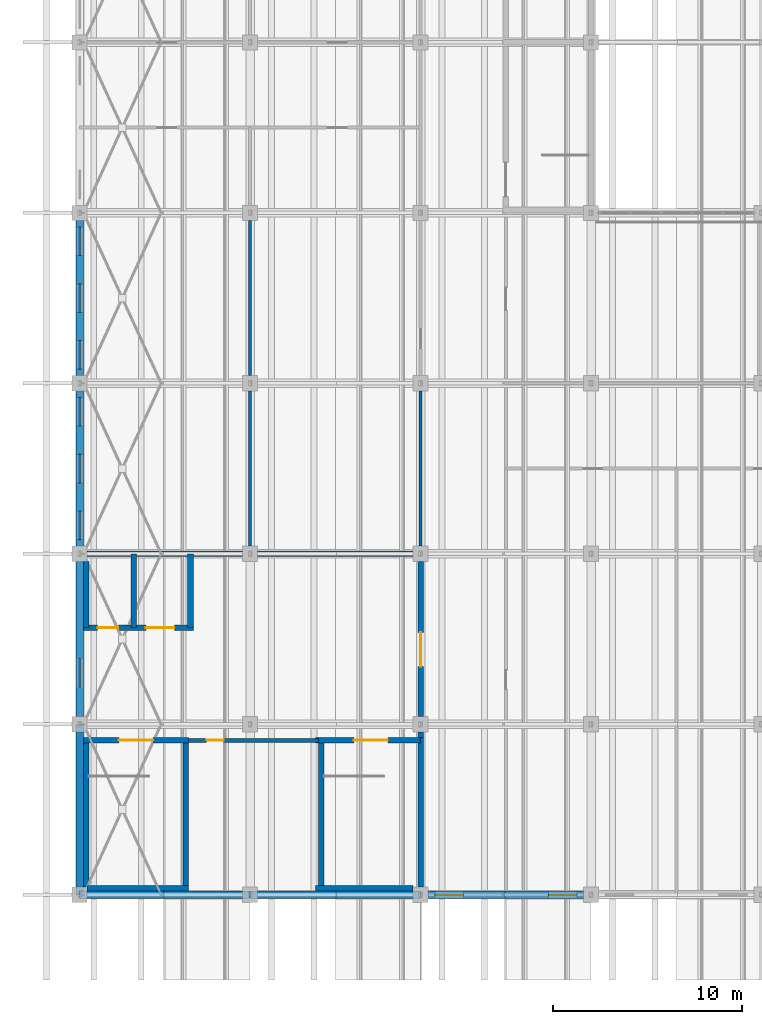
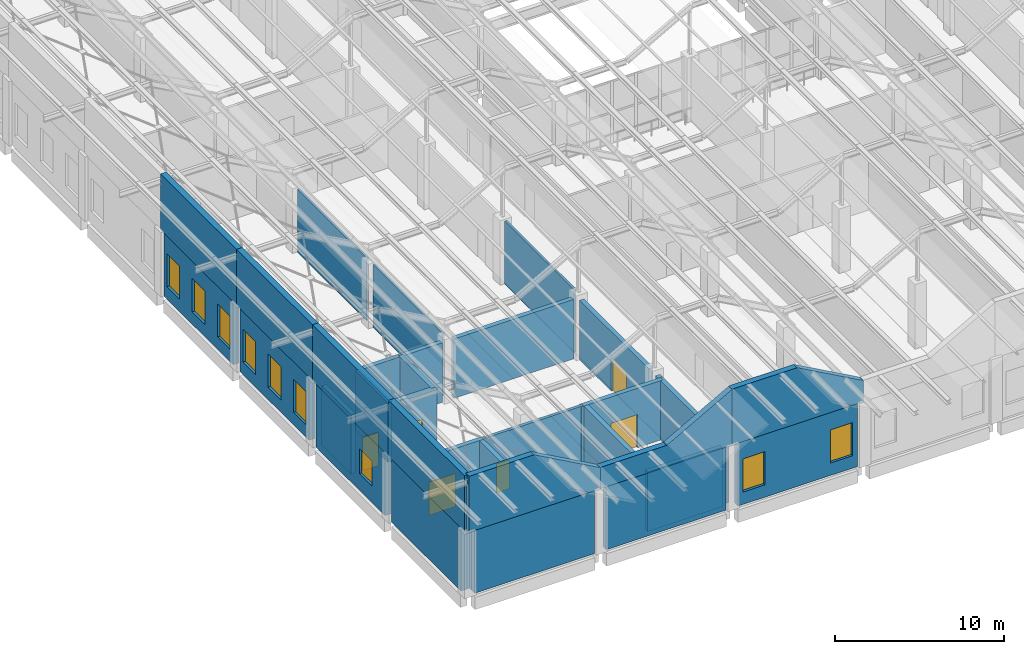
# One storey, part 263 of 437: 34 walls, 9 windows, 6 doors, 15 openings.
"""IFC4 building model written with IfcOpenShell, lengths in metres."""

from ifc_helpers import new_model, si_unit, direction, frame, frame_2d, origin, place, context, subcontext, project, spatial, polyline, rectangle, outline, extrude, material, layer, layer_set, type_object, element, fill, save


model = new_model("IFC4")

# Units and contexts
model_context = context("Model", 3, precision=1e-05, world=origin(), true_north=direction((0.0, 1.0)))
body_context = subcontext(model_context, "Body", "Model", "MODEL_VIEW")
ifc_project = project(units=[si_unit("LENGTHUNIT", "METRE"), si_unit("AREAUNIT", "SQUARE_METRE"), si_unit("VOLUMEUNIT", "CUBIC_METRE"), si_unit("PLANEANGLEUNIT", "RADIAN"), si_unit("MASSUNIT", "GRAM", prefix="KILO")], contexts=[model_context])

# Site, building, storey
site_placement = place(None, origin())
site = spatial("IfcSite", under=ifc_project, at=site_placement, CompositionType="ELEMENT")
building_placement = place(site_placement, origin())
building = spatial("IfcBuilding", under=site, at=building_placement, Name="Opaline Strait Convention Centre", CompositionType="ELEMENT")
storey_placement = place(building_placement, frame((0.0, 0.0, 11.5)))
storey = spatial("IfcBuildingStorey", under=building, at=storey_placement, Name="L02", CompositionType="ELEMENT", Elevation=11.5)

# Wall, opening, door
ifc_material_1 = material(Name="Gypsum board on metal studs with mineral wool")
ifc_layer_1 = layer(ifc_material_1, 0.199951171875)
ifc_layer_set_1 = layer_set([ifc_layer_1], Name="Gypsum board on metal studs with mineral wool")
wall_type_1 = type_object("IfcWallType", Name="Fire partition 200", PredefinedType="PARTITIONING", material=ifc_layer_set_1)
wall_1_placement = place(storey_placement, frame((14.75, 17.14990234375, 0.0), z_axis=(0.0, 0.0, 1.0), x_axis=(1.0, 0.0, 0.0)))
wall_1 = element("IfcWall", 1, at=wall_1_placement, inside=storey, type_object=wall_type_1, Name="SW core STORE-N wall", PredefinedType="PARTITIONING", context=body_context, shape_type="SweptSolid", body=[
    extrude(rectangle(XDim=6.85009765625, YDim=0.199951171875, at=frame_2d((3.425048828125, 0.0))), origin(), (0.0, 0.0, 1.0), 4.300048828125),
])
opening_1_placement = place(wall_1_placement, frame((0.949951171875, 0.0, 0.0)))
opening_1 = element("IfcOpeningElement", 2, at=opening_1_placement, cuts=wall_1, Name="Opening R2-003", PredefinedType="OPENING", context=body_context, shape_type="SweptSolid", body=[
    extrude(rectangle(XDim=0.89990234375, YDim=2.10009765625, at=frame_2d((0.449951171875, 1.050048828125))), frame((0.0, 0.10986328125, 0.0), z_axis=(0.0, -1.0, 0.0), x_axis=(1.0, 0.0, 0.0)), (0.0, 0.0, 1.0), 0.219970703125),
])
ifc_material_2 = material(Name="Galvanised steel door leaf", Category="steel")
door_type_1 = type_object("IfcDoorType", Name="Services store door 900x2100 FD60", OperationType="SINGLE_SWING_LEFT", PredefinedType="DOOR", material=ifc_material_2)
door_1_placement = place(opening_1_placement, origin())
door_1 = element("IfcDoor", 3, at=door_1_placement, inside=storey, type_object=door_type_1, Name="Services store door SW R2-003", ObjectType="RD8", OperationType="SINGLE_SWING_LEFT", OverallHeight=2.10009765625, OverallWidth=0.89990234375, PredefinedType="DOOR", context=body_context, shape_type="SweptSolid", body=[
    extrude(rectangle(XDim=0.89990234375, YDim=2.10009765625, at=frame_2d((0.449951171875, 1.050048828125))), frame((0.0, 0.02490234375, 0.0), z_axis=(0.0, -1.0, 0.0), x_axis=(1.0, 0.0, 0.0)), (0.0, 0.0, 1.0), 0.050048828125),
])
fill(opening_1, door_1)

# Walls
ifc_layer_2 = layer(ifc_material_1, 0.14990234375)
ifc_layer_set_2 = layer_set([ifc_layer_2], Name="Gypsum board on metal studs with mineral wool")
wall_type_2 = type_object("IfcWallType", Name="Partition 150", PredefinedType="PARTITIONING", material=ifc_layer_set_2)
for number, where, z_axis, x_axis, name in (
    (4, (18.0, 27.39990234375, 0.0), (0.0, 0.0, 1.0), (0.0, 1.0, 0.0), "L02 partition"),
    (5, (18.0, 36.39990234375, 0.0), (0.0, 0.0, 1.0), (0.0, 1.0, 0.0), "L02 partition"),
    (6, (27.0, 27.39990234375, 0.0), (0.0, 0.0, 1.0), (0.0, 1.0, 0.0), "L02 partition"),
):
    element("IfcWall", number, at=place(storey_placement, frame(where, z_axis=z_axis, x_axis=x_axis)), inside=storey, type_object=wall_type_2, Name=name, PredefinedType="PARTITIONING", context=body_context, shape_type="SweptSolid", body=[
        extrude(rectangle(XDim=8.2001953125, YDim=0.14990234375, at=frame_2d((4.10009765625, 0.0))), origin(), (0.0, 0.0, 1.0), 4.550048828125),
    ])
ifc_material_3 = material(Name="Concrete C40", Category="concrete")
ifc_layer_3 = layer(ifc_material_3, 0.300048828125)
ifc_layer_set_3 = layer_set([ifc_layer_3], Name="Concrete C40")
wall_type_3 = type_object("IfcWallType", Name="RC wall 300 C40", PredefinedType="SOLIDWALL", material=ifc_layer_set_3)
wall_2_placement = place(storey_placement, frame((9.39990234375, 9.35009765625, 0.0), z_axis=(0.0, 0.0, 1.0), x_axis=(1.0, 0.0, 0.0)))
element("IfcWall", 7, at=wall_2_placement, inside=storey, type_object=wall_type_3, Name="SW core STA-S wall", PredefinedType="SOLIDWALL", context=body_context, shape_type="SweptSolid", body=[
    extrude(rectangle(XDim=5.35009765625, YDim=0.300048828125, at=frame_2d((2.675048828125, 0.0))), origin(), (0.0, 0.0, 1.0), 4.300048828125),
])

# Wall, opening, door
wall_3_placement = place(storey_placement, frame((9.199951171875, 17.14990234375, 0.0), z_axis=(0.0, 0.0, 1.0), x_axis=(1.0, 0.0, 0.0)))
wall_3 = element("IfcWall", 8, at=wall_3_placement, inside=storey, type_object=wall_type_3, Name="SW core STA-N wall", PredefinedType="SOLIDWALL", context=body_context, shape_type="SweptSolid", body=[
    extrude(rectangle(XDim=5.550048828125, YDim=0.300048828125, at=frame_2d((2.77490234375, 0.0))), origin(), (0.0, 0.0, 1.0), 4.300048828125),
])
opening_2_placement = place(wall_3_placement, frame((1.875, 0.0, 0.0)))
opening_2 = element("IfcOpeningElement", 9, at=opening_2_placement, cuts=wall_3, Name="Opening R2-001", PredefinedType="OPENING", context=body_context, shape_type="SweptSolid", body=[
    extrude(rectangle(XDim=1.800048828125, YDim=2.39990234375, at=frame_2d((0.89990234375, 1.199951171875))), frame((0.0, 0.159912109375, 0.0), z_axis=(0.0, -1.0, 0.0), x_axis=(1.0, 0.0, 0.0)), (0.0, 0.0, 1.0), 0.320068359375),
])
ifc_material_4 = material(Name="Timber door leaves in steel frame", Category="steel")
door_type_2 = type_object("IfcDoorType", Name="Stair door 1800x2400 double FD60", OperationType="DOUBLE_DOOR_SINGLE_SWING", PredefinedType="DOOR", material=ifc_material_4)
door_2_placement = place(opening_2_placement, origin())
door_2 = element("IfcDoor", 10, at=door_2_placement, inside=storey, type_object=door_type_2, Name="Stair door SWA R2-001", ObjectType="RD7", OperationType="DOUBLE_DOOR_SINGLE_SWING", OverallHeight=2.39990234375, OverallWidth=1.800048828125, PredefinedType="DOOR", context=body_context, shape_type="SweptSolid", body=[
    extrude(rectangle(XDim=1.800048828125, YDim=2.39990234375, at=frame_2d((0.89990234375, 1.199951171875))), frame((0.0, 0.02490234375, 0.0), z_axis=(0.0, -1.0, 0.0), x_axis=(1.0, 0.0, 0.0)), (0.0, 0.0, 1.0), 0.050048828125),
])
fill(opening_2, door_2)

# Walls
wall_4_placement = place(storey_placement, frame((9.35009765625, 9.39990234375, 0.0), z_axis=(0.0, 0.0, 1.0), x_axis=(0.0, 1.0, 0.0)))
element("IfcWall", 11, at=wall_4_placement, inside=storey, type_object=wall_type_3, Name="SW core STA-W wall", PredefinedType="SOLIDWALL", context=body_context, shape_type="SweptSolid", body=[
    extrude(rectangle(XDim=7.900146484375, YDim=0.300048828125, at=frame_2d((3.9501953125, 0.0))), origin(), (0.0, 0.0, 1.0), 4.300048828125),
])
wall_5_placement = place(storey_placement, frame((14.60009765625, 9.199951171875, 0.0), z_axis=(0.0, 0.0, 1.0), x_axis=(0.0, 1.0, 0.0)))
element("IfcWall", 12, at=wall_5_placement, inside=storey, type_object=wall_type_3, Name="SW core STA-E wall", PredefinedType="SOLIDWALL", context=body_context, shape_type="SweptSolid", body=[
    extrude(rectangle(XDim=8.10009765625, YDim=0.300048828125, at=frame_2d((4.050048828125, 0.0))), origin(), (0.0, 0.0, 1.0), 4.300048828125),
])
wall_6_placement = place(storey_placement, frame((21.449951171875, 9.35009765625, 0.0), z_axis=(0.0, 0.0, 1.0), x_axis=(1.0, 0.0, 0.0)))
element("IfcWall", 13, at=wall_6_placement, inside=storey, type_object=wall_type_3, Name="SW core STB-S wall", PredefinedType="SOLIDWALL", context=body_context, shape_type="SweptSolid", body=[
    extrude(rectangle(XDim=5.150146484375, YDim=0.300048828125, at=frame_2d((2.5751953125, 0.0))), origin(), (0.0, 0.0, 1.0), 4.300048828125),
])

# Wall, opening, door
wall_7_placement = place(storey_placement, frame((21.449951171875, 17.14990234375, 0.0), z_axis=(0.0, 0.0, 1.0), x_axis=(1.0, 0.0, 0.0)))
wall_7 = element("IfcWall", 14, at=wall_7_placement, inside=storey, type_object=wall_type_3, Name="SW core STB-N wall", PredefinedType="SOLIDWALL", context=body_context, shape_type="SweptSolid", body=[
    extrude(rectangle(XDim=5.550048828125, YDim=0.300048828125, at=frame_2d((2.77490234375, 0.0))), origin(), (0.0, 0.0, 1.0), 4.300048828125),
])
opening_3_placement = place(wall_7_placement, frame((2.02490234375, 0.0, 0.0)))
opening_3 = element("IfcOpeningElement", 15, at=opening_3_placement, cuts=wall_7, Name="Opening R2-002", PredefinedType="OPENING", context=body_context, shape_type="SweptSolid", body=[
    extrude(rectangle(XDim=1.800048828125, YDim=2.39990234375, at=frame_2d((0.89990234375, 1.199951171875))), frame((0.0, 0.159912109375, 0.0), z_axis=(0.0, -1.0, 0.0), x_axis=(1.0, 0.0, 0.0)), (0.0, 0.0, 1.0), 0.320068359375),
])
door_3_placement = place(opening_3_placement, origin())
door_3 = element("IfcDoor", 16, at=door_3_placement, inside=storey, type_object=door_type_2, Name="Stair door SWB R2-002", ObjectType="RD7", OperationType="DOUBLE_DOOR_SINGLE_SWING", OverallHeight=2.39990234375, OverallWidth=1.800048828125, PredefinedType="DOOR", context=body_context, shape_type="SweptSolid", body=[
    extrude(rectangle(XDim=1.800048828125, YDim=2.39990234375, at=frame_2d((0.89990234375, 1.199951171875))), frame((0.0, 0.02490234375, 0.0), z_axis=(0.0, -1.0, 0.0), x_axis=(1.0, 0.0, 0.0)), (0.0, 0.0, 1.0), 0.050048828125),
])
fill(opening_3, door_3)

# Walls
wall_8_placement = place(storey_placement, frame((21.75, 9.199951171875, 0.0), z_axis=(0.0, 0.0, 1.0), x_axis=(0.0, 1.0, 0.0)))
element("IfcWall", 17, at=wall_8_placement, inside=storey, type_object=wall_type_3, Name="SW core STB-W wall", PredefinedType="SOLIDWALL", context=body_context, shape_type="SweptSolid", body=[
    extrude(rectangle(XDim=8.10009765625, YDim=0.300048828125, at=frame_2d((4.050048828125, 0.0))), origin(), (0.0, 0.0, 1.0), 4.300048828125),
])
wall_9_placement = place(storey_placement, frame((27.0, 9.39990234375, 0.0), z_axis=(0.0, 0.0, 1.0), x_axis=(0.0, 1.0, 0.0)))
element("IfcWall", 18, at=wall_9_placement, inside=storey, type_object=wall_type_3, Name="SW core STB-E wall", PredefinedType="SOLIDWALL", context=body_context, shape_type="SweptSolid", body=[
    extrude(rectangle(XDim=7.900146484375, YDim=0.300048828125, at=frame_2d((3.9501953125, 0.0))), origin(), (0.0, 0.0, 1.0), 4.300048828125),
])
for number, where, z_axis, x_axis, name in (
    (19, (9.39990234375, 27.0, 0.0), (0.0, 0.0, 1.0), (1.0, 0.0, 0.0), "SW core BND-N wall"),
    (20, (18.39990234375, 27.0, 0.0), (0.0, 0.0, 1.0), (1.0, 0.0, 0.0), "SW core BND-N wall"),
):
    element("IfcWall", number, at=place(storey_placement, frame(where, z_axis=z_axis, x_axis=x_axis)), inside=storey, type_object=wall_type_3, Name=name, PredefinedType="SOLIDWALL", context=body_context, shape_type="SweptSolid", body=[
        extrude(rectangle(XDim=8.2001953125, YDim=0.300048828125, at=frame_2d((4.10009765625, 0.0))), origin(), (0.0, 0.0, 1.0), 4.300048828125),
    ])
wall_10_placement = place(storey_placement, frame((27.0, 17.300048828125, 0.0), z_axis=(0.0, 0.0, 1.0), x_axis=(0.0, 1.0, 0.0)))
element("IfcWall", 21, at=wall_10_placement, inside=storey, type_object=wall_type_3, Name="SW core BND-E wall", PredefinedType="SOLIDWALL", context=body_context, shape_type="SweptSolid", body=[
    extrude(rectangle(XDim=0.300048828125, YDim=0.300048828125, at=frame_2d((0.14990234375, 0.0))), origin(), (0.0, 0.0, 1.0), 4.300048828125),
])

# Wall, opening, door
wall_11_placement = place(storey_placement, frame((27.0, 18.39990234375, 0.0), z_axis=(0.0, 0.0, 1.0), x_axis=(0.0, 1.0, 0.0)))
wall_11 = element("IfcWall", 22, at=wall_11_placement, inside=storey, type_object=wall_type_3, Name="SW core BND-E wall", PredefinedType="SOLIDWALL", context=body_context, shape_type="SweptSolid", body=[
    extrude(rectangle(XDim=8.2001953125, YDim=0.300048828125, at=frame_2d((4.10009765625, 0.0))), origin(), (0.0, 0.0, 1.0), 4.300048828125),
])
opening_4_placement = place(wall_11_placement, frame((2.64990234375, 0.0, 0.0)))
opening_4 = element("IfcOpeningElement", 23, at=opening_4_placement, cuts=wall_11, Name="Opening R2-004", PredefinedType="OPENING", context=body_context, shape_type="SweptSolid", body=[
    extrude(rectangle(XDim=1.800048828125, YDim=2.39990234375, at=frame_2d((0.89990234375, 1.199951171875))), frame((0.0, 0.159912109375, 0.0), z_axis=(0.0, -1.0, 0.0), x_axis=(1.0, 0.0, 0.0)), (0.0, 0.0, 1.0), 0.320068359375),
])
door_type_3 = type_object("IfcDoorType", Name="Door 1800x2400 double FD60", OperationType="DOUBLE_DOOR_SINGLE_SWING", PredefinedType="DOOR", material=ifc_material_4)
door_4_placement = place(opening_4_placement, frame((1.800048828125, 0.0, 0.0), z_axis=(0.0, 0.0, 1.0), x_axis=(-1.0, 0.0, 0.0)))
door_4 = element("IfcDoor", 24, at=door_4_placement, inside=storey, type_object=door_type_3, Name="Core lobby door SW R2-004", ObjectType="RD9", OperationType="DOUBLE_DOOR_SINGLE_SWING", OverallHeight=2.39990234375, OverallWidth=1.800048828125, PredefinedType="DOOR", context=body_context, shape_type="SweptSolid", body=[
    extrude(rectangle(XDim=1.800048828125, YDim=2.39990234375, at=frame_2d((0.89990234375, 1.199951171875))), frame((0.0, 0.02490234375, 0.0), z_axis=(0.0, -1.0, 0.0), x_axis=(1.0, 0.0, 0.0)), (0.0, 0.0, 1.0), 0.050048828125),
])
fill(opening_4, door_4)

# Wall, openings, doors
wall_12_placement = place(storey_placement, frame((9.199951171875, 23.10009765625, 0.0), z_axis=(0.0, 0.0, 1.0), x_axis=(1.0, 0.0, 0.0)))
wall_12 = element("IfcWall", 25, at=wall_12_placement, inside=storey, type_object=wall_type_3, Name="SW core LIFT-S wall", PredefinedType="SOLIDWALL", context=body_context, shape_type="SweptSolid", body=[
    extrude(rectangle(XDim=5.800048828125, YDim=0.300048828125, at=frame_2d((2.89990234375, 0.0))), origin(), (0.0, 0.0, 1.0), 4.300048828125),
])
opening_5_placement = place(wall_12_placement, frame((0.75, 0.0, 0.0)))
opening_5 = element("IfcOpeningElement", 26, at=opening_5_placement, cuts=wall_12, Name="Opening R2-005", PredefinedType="OPENING", context=body_context, shape_type="SweptSolid", body=[
    extrude(rectangle(XDim=1.10009765625, YDim=2.39990234375, at=frame_2d((0.550048828125, 1.199951171875))), frame((0.0, 0.159912109375, 0.0), z_axis=(0.0, -1.0, 0.0), x_axis=(1.0, 0.0, 0.0)), (0.0, 0.0, 1.0), 0.320068359375),
])
opening_6_placement = place(wall_12_placement, frame((3.300048828125, 0.0, 0.0)))
opening_6 = element("IfcOpeningElement", 27, at=opening_6_placement, cuts=wall_12, Name="Opening R2-006", PredefinedType="OPENING", context=body_context, shape_type="SweptSolid", body=[
    extrude(rectangle(XDim=1.5, YDim=2.39990234375, at=frame_2d((0.75, 1.199951171875))), frame((0.0, 0.159912109375, 0.0), z_axis=(0.0, -1.0, 0.0), x_axis=(1.0, 0.0, 0.0)), (0.0, 0.0, 1.0), 0.320068359375),
])
ifc_material_5 = material(Name="Stainless steel 304 door leaves", Category="steel")
door_type_4 = type_object("IfcDoorType", Name="Lift landing door 1100x2400 sliding FD60", OperationType="SLIDING_TO_LEFT", PredefinedType="DOOR", material=ifc_material_5)
door_5_placement = place(opening_5_placement, frame((1.10009765625, 0.0, 0.0), z_axis=(0.0, 0.0, 1.0), x_axis=(-1.0, 0.0, 0.0)))
door_5 = element("IfcDoor", 28, at=door_5_placement, inside=storey, type_object=door_type_4, Name="Lift landing door SWP R2-005", ObjectType="LD1", OperationType="SLIDING_TO_LEFT", OverallHeight=2.39990234375, OverallWidth=1.10009765625, PredefinedType="DOOR", context=body_context, shape_type="SweptSolid", body=[
    extrude(rectangle(XDim=1.10009765625, YDim=2.39990234375, at=frame_2d((0.550048828125, 1.199951171875))), frame((0.0, 0.02490234375, 0.0), z_axis=(0.0, -1.0, 0.0), x_axis=(1.0, 0.0, 0.0)), (0.0, 0.0, 1.0), 0.050048828125),
])
fill(opening_5, door_5)
door_type_5 = type_object("IfcDoorType", Name="Lift landing door 1500x2400 sliding FD60", OperationType="SLIDING_TO_LEFT", PredefinedType="DOOR", material=ifc_material_5)
door_6_placement = place(opening_6_placement, frame((1.5, 0.0, 0.0), z_axis=(0.0, 0.0, 1.0), x_axis=(-1.0, 0.0, 0.0)))
door_6 = element("IfcDoor", 29, at=door_6_placement, inside=storey, type_object=door_type_5, Name="Lift landing door SWG R2-006", ObjectType="LD2", OperationType="SLIDING_TO_LEFT", OverallHeight=2.39990234375, OverallWidth=1.5, PredefinedType="DOOR", context=body_context, shape_type="SweptSolid", body=[
    extrude(rectangle(XDim=1.5, YDim=2.39990234375, at=frame_2d((0.75, 1.199951171875))), frame((0.0, 0.02490234375, 0.0), z_axis=(0.0, -1.0, 0.0), x_axis=(1.0, 0.0, 0.0)), (0.0, 0.0, 1.0), 0.050048828125),
])
fill(opening_6, door_6)

# Walls
for number, where, z_axis, x_axis, name in (
    (30, (11.85009765625, 23.10009765625, 0.0), (0.0, 0.0, 1.0), (0.0, 1.0, 0.0), "SW core LIFT-M wall"),
    (31, (14.85009765625, 23.10009765625, 0.0), (0.0, 0.0, 1.0), (0.0, 1.0, 0.0), "SW core LIFT-GE wall"),
):
    element("IfcWall", number, at=place(storey_placement, frame(where, z_axis=z_axis, x_axis=x_axis)), inside=storey, type_object=wall_type_3, Name=name, PredefinedType="SOLIDWALL", context=body_context, shape_type="SweptSolid", body=[
        extrude(rectangle(XDim=3.89990234375, YDim=0.300048828125, at=frame_2d((1.949951171875, 0.0))), origin(), (0.0, 0.0, 1.0), 4.300048828125),
    ])
wall_13_placement = place(storey_placement, frame((9.35009765625, 23.10009765625, 0.0), z_axis=(0.0, 0.0, 1.0), x_axis=(0.0, 1.0, 0.0)))
element("IfcWall", 32, at=wall_13_placement, inside=storey, type_object=wall_type_3, Name="SW core LIFT-W wall", PredefinedType="SOLIDWALL", context=body_context, shape_type="SweptSolid", body=[
    extrude(rectangle(XDim=3.5, YDim=0.300048828125, at=frame_2d((1.75, 0.0))), origin(), (0.0, 0.0, 1.0), 4.300048828125),
])
ifc_layer_4 = layer(ifc_material_3, 0.320068359375)
ifc_material_6 = material(Name="Mineral wool insulation")
ifc_layer_5 = layer(ifc_material_6, 0.050048828125)
ifc_material_7 = material(Name="Gypsum board lining")
ifc_layer_6 = layer(ifc_material_7, 0.030029296875)
ifc_layer_set_4 = layer_set([ifc_layer_4, ifc_layer_5, ifc_layer_6], Name="Concrete C40, Mineral wool insulation, Gypsum board lining")
wall_type_4 = type_object("IfcWallType", Name="RC wall 400 C40", PredefinedType="SOLIDWALL", material=ifc_layer_set_4)
wall_14_placement = place(storey_placement, frame((9.0, 9.0, 4.550048828125), z_axis=(0.0, 0.0, 1.0), x_axis=(1.0, 0.0, 0.0)))
element("IfcWall", 33, at=wall_14_placement, inside=storey, type_object=wall_type_4, Name="S roof infill wall 1", PredefinedType="SOLIDWALL", context=body_context, shape_type="SweptSolid", body=[
    extrude(outline(polyline([(0.0, 0.0), (9.0, 0.0), (9.0, 1.550048828125), (8.961181640625, 1.550048828125), (4.461181640625, 4.050048828125), (0.0, 4.050048828125), (0.0, 0.0)])), frame((0.0, 0.199951171875, 0.0), z_axis=(0.0, -1.0, 0.0), x_axis=(1.0, 0.0, 0.0)), (0.0, 0.0, 1.0), 0.39990234375),
])
wall_15_placement = place(storey_placement, frame((18.0, 9.0, 4.550048828125), z_axis=(0.0, 0.0, 1.0), x_axis=(1.0, 0.0, 0.0)))
element("IfcWall", 34, at=wall_15_placement, inside=storey, type_object=wall_type_4, Name="S roof infill wall 2", PredefinedType="SOLIDWALL", context=body_context, shape_type="SweptSolid", body=[
    extrude(outline(polyline([(0.0, 0.0), (9.0, 0.0), (9.0, 4.0283203125), (4.538818359375, 1.550048828125), (0.0, 1.550048828125), (0.0, 0.0)])), frame((0.0, 0.199951171875, 0.0), z_axis=(0.0, -1.0, 0.0), x_axis=(1.0, 0.0, 0.0)), (0.0, 0.0, 1.0), 0.39990234375),
])
wall_16_placement = place(storey_placement, frame((27.0, 9.0, 4.550048828125), z_axis=(0.0, 0.0, 1.0), x_axis=(1.0, 0.0, 0.0)))
element("IfcWall", 35, at=wall_16_placement, inside=storey, type_object=wall_type_4, Name="S roof infill wall 3", PredefinedType="SOLIDWALL", context=body_context, shape_type="SweptSolid", body=[
    extrude(outline(polyline([(0.0, 0.0), (9.0, 0.0), (9.0, 1.550048828125), (8.961181640625, 1.550048828125), (4.461181640625, 4.050048828125), (0.038818359375, 4.050048828125), (0.0, 4.0283203125), (0.0, 0.0)])), frame((0.0, 0.199951171875, 0.0), z_axis=(0.0, -1.0, 0.0), x_axis=(1.0, 0.0, 0.0)), (0.0, 0.0, 1.0), 0.39990234375),
])
for number, where, z_axis, x_axis, name in (
    (36, (9.0, 9.0, 4.550048828125), (0.0, 0.0, 1.0), (0.0, 1.0, 0.0), "W roof infill wall 1"),
    (37, (9.0, 18.0, 4.550048828125), (0.0, 0.0, 1.0), (0.0, 1.0, 0.0), "W roof infill wall 2"),
    (38, (9.0, 27.0, 4.550048828125), (0.0, 0.0, 1.0), (0.0, 1.0, 0.0), "W roof infill wall 3"),
    (39, (9.0, 36.0, 4.550048828125), (0.0, 0.0, 1.0), (0.0, 1.0, 0.0), "W roof infill wall 4"),
):
    element("IfcWall", number, at=place(storey_placement, frame(where, z_axis=z_axis, x_axis=x_axis)), inside=storey, type_object=wall_type_4, Name=name, PredefinedType="SOLIDWALL", context=body_context, shape_type="SweptSolid", body=[
        extrude(rectangle(XDim=9.0, YDim=0.39990234375, at=frame_2d((4.5, 0.0))), origin(), (0.0, 0.0, 1.0), 4.050048828125),
    ])
for number, where, z_axis, x_axis, name in (
    (40, (9.39990234375, 9.0, 0.0), (0.0, 0.0, 1.0), (1.0, 0.0, 0.0), "L02 S external wall 1"),
    (41, (18.39990234375, 9.0, 0.0), (0.0, 0.0, 1.0), (1.0, 0.0, 0.0), "L02 S external wall 2"),
):
    element("IfcWall", number, at=place(storey_placement, frame(where, z_axis=z_axis, x_axis=x_axis)), inside=storey, type_object=wall_type_4, Name=name, PredefinedType="SOLIDWALL", context=body_context, shape_type="SweptSolid", body=[
        extrude(rectangle(XDim=8.2001953125, YDim=0.39990234375, at=frame_2d((4.10009765625, 0.0))), origin(), (0.0, 0.0, 1.0), 4.550048828125),
    ])

# Wall, openings, windows
wall_17_placement = place(storey_placement, frame((27.39990234375, 9.0, 0.0), z_axis=(0.0, 0.0, 1.0), x_axis=(1.0, 0.0, 0.0)))
wall_17 = element("IfcWall", 42, at=wall_17_placement, inside=storey, type_object=wall_type_4, Name="L02 S external wall 3", PredefinedType="SOLIDWALL", context=body_context, shape_type="SweptSolid", body=[
    extrude(rectangle(XDim=8.2001953125, YDim=0.39990234375, at=frame_2d((4.10009765625, 0.0))), origin(), (0.0, 0.0, 1.0), 4.550048828125),
])
opening_7_placement = place(wall_17_placement, frame((0.35009765625, 0.0, 0.89990234375)))
opening_7 = element("IfcOpeningElement", 43, at=opening_7_placement, cuts=wall_17, Name="Opening RWN2", PredefinedType="OPENING", context=body_context, shape_type="SweptSolid", body=[
    extrude(rectangle(XDim=1.5, YDim=2.39990234375, at=frame_2d((0.75, 1.199951171875))), frame((0.0, 0.2099609375, 0.0), z_axis=(0.0, -1.0, 0.0), x_axis=(1.0, 0.0, 0.0)), (0.0, 0.0, 1.0), 0.419921875),
])
opening_8_placement = place(wall_17_placement, frame((6.35009765625, 0.0, 0.89990234375)))
opening_8 = element("IfcOpeningElement", 44, at=opening_8_placement, cuts=wall_17, Name="Opening RWN2", PredefinedType="OPENING", context=body_context, shape_type="SweptSolid", body=[
    extrude(rectangle(XDim=1.5, YDim=2.39990234375, at=frame_2d((0.75, 1.199951171875))), frame((0.0, 0.2099609375, 0.0), z_axis=(0.0, -1.0, 0.0), x_axis=(1.0, 0.0, 0.0)), (0.0, 0.0, 1.0), 0.419921875),
])
ifc_material_8 = material(Name="Aluminium framed double glazing", Category="aluminium")
window_type_1 = type_object("IfcWindowType", Name="Window 1500x2400 sill 900", PartitioningType="SINGLE_PANEL", PredefinedType="WINDOW", material=ifc_material_8)
window_1_placement = place(opening_7_placement, origin())
window_1 = element("IfcWindow", 45, at=window_1_placement, inside=storey, type_object=window_type_1, Name="Window L02-S3-W1", OverallHeight=2.39990234375, OverallWidth=1.5, PartitioningType="SINGLE_PANEL", PredefinedType="WINDOW", context=body_context, shape_type="SweptSolid", body=[
    extrude(rectangle(XDim=1.5, YDim=2.39990234375, at=frame_2d((0.75, 1.199951171875))), frame((0.0, 0.030029296875, 0.0), z_axis=(0.0, -1.0, 0.0), x_axis=(1.0, 0.0, 0.0)), (0.0, 0.0, 1.0), 0.06005859375),
])
fill(opening_7, window_1)
window_2_placement = place(opening_8_placement, origin())
window_2 = element("IfcWindow", 46, at=window_2_placement, inside=storey, type_object=window_type_1, Name="Window L02-S3-W3", OverallHeight=2.39990234375, OverallWidth=1.5, PartitioningType="SINGLE_PANEL", PredefinedType="WINDOW", context=body_context, shape_type="SweptSolid", body=[
    extrude(rectangle(XDim=1.5, YDim=2.39990234375, at=frame_2d((0.75, 1.199951171875))), frame((0.0, 0.030029296875, 0.0), z_axis=(0.0, -1.0, 0.0), x_axis=(1.0, 0.0, 0.0)), (0.0, 0.0, 1.0), 0.06005859375),
])
fill(opening_8, window_2)

# Wall
wall_18_placement = place(storey_placement, frame((9.0, 9.39990234375, 0.0), z_axis=(0.0, 0.0, 1.0), x_axis=(0.0, 1.0, 0.0)))
element("IfcWall", 47, at=wall_18_placement, inside=storey, type_object=wall_type_4, Name="L02 W external wall 1", PredefinedType="SOLIDWALL", context=body_context, shape_type="SweptSolid", body=[
    extrude(rectangle(XDim=8.2001953125, YDim=0.39990234375, at=frame_2d((4.10009765625, 0.0))), origin(), (0.0, 0.0, 1.0), 4.550048828125),
])

# Wall, opening, window
wall_19_placement = place(storey_placement, frame((9.0, 18.39990234375, 0.0), z_axis=(0.0, 0.0, 1.0), x_axis=(0.0, 1.0, 0.0)))
wall_19 = element("IfcWall", 48, at=wall_19_placement, inside=storey, type_object=wall_type_4, Name="L02 W external wall 2", PredefinedType="SOLIDWALL", context=body_context, shape_type="SweptSolid", body=[
    extrude(rectangle(XDim=8.2001953125, YDim=0.39990234375, at=frame_2d((4.10009765625, 0.0))), origin(), (0.0, 0.0, 1.0), 4.550048828125),
])
opening_9_placement = place(wall_19_placement, frame((1.550048828125, 0.0, 1.199951171875)))
opening_9 = element("IfcOpeningElement", 49, at=opening_9_placement, cuts=wall_19, Name="Opening RWN4", PredefinedType="OPENING", context=body_context, shape_type="SweptSolid", body=[
    extrude(rectangle(XDim=1.5, YDim=1.800048828125, at=frame_2d((0.75, 0.89990234375))), frame((0.0, 0.2099609375, 0.0), z_axis=(0.0, -1.0, 0.0), x_axis=(1.0, 0.0, 0.0)), (0.0, 0.0, 1.0), 0.419921875),
])
window_type_2 = type_object("IfcWindowType", Name="Window 1500x1800 sill 1200", PartitioningType="SINGLE_PANEL", PredefinedType="WINDOW", material=ifc_material_8)
window_3_placement = place(opening_9_placement, origin())
window_3 = element("IfcWindow", 50, at=window_3_placement, inside=storey, type_object=window_type_2, Name="Window L02-W2-W1", OverallHeight=1.800048828125, OverallWidth=1.5, PartitioningType="SINGLE_PANEL", PredefinedType="WINDOW", context=body_context, shape_type="SweptSolid", body=[
    extrude(rectangle(XDim=1.5, YDim=1.800048828125, at=frame_2d((0.75, 0.89990234375))), frame((0.0, 0.030029296875, 0.0), z_axis=(0.0, -1.0, 0.0), x_axis=(1.0, 0.0, 0.0)), (0.0, 0.0, 1.0), 0.06005859375),
])
fill(opening_9, window_3)

# Wall, openings, windows
wall_20_placement = place(storey_placement, frame((9.0, 27.39990234375, 0.0), z_axis=(0.0, 0.0, 1.0), x_axis=(0.0, 1.0, 0.0)))
wall_20 = element("IfcWall", 51, at=wall_20_placement, inside=storey, type_object=wall_type_4, Name="L02 W external wall 3", PredefinedType="SOLIDWALL", context=body_context, shape_type="SweptSolid", body=[
    extrude(rectangle(XDim=8.2001953125, YDim=0.39990234375, at=frame_2d((4.10009765625, 0.0))), origin(), (0.0, 0.0, 1.0), 4.550048828125),
])
opening_10_placement = place(wall_20_placement, frame((0.35009765625, 0.0, 0.89990234375)))
opening_10 = element("IfcOpeningElement", 52, at=opening_10_placement, cuts=wall_20, Name="Opening RWN2", PredefinedType="OPENING", context=body_context, shape_type="SweptSolid", body=[
    extrude(rectangle(XDim=1.5, YDim=2.39990234375, at=frame_2d((0.75, 1.199951171875))), frame((0.0, 0.2099609375, 0.0), z_axis=(0.0, -1.0, 0.0), x_axis=(1.0, 0.0, 0.0)), (0.0, 0.0, 1.0), 0.419921875),
])
opening_11_placement = place(wall_20_placement, frame((3.35009765625, 0.0, 0.89990234375)))
opening_11 = element("IfcOpeningElement", 53, at=opening_11_placement, cuts=wall_20, Name="Opening RWN2", PredefinedType="OPENING", context=body_context, shape_type="SweptSolid", body=[
    extrude(rectangle(XDim=1.5, YDim=2.39990234375, at=frame_2d((0.75, 1.199951171875))), frame((0.0, 0.2099609375, 0.0), z_axis=(0.0, -1.0, 0.0), x_axis=(1.0, 0.0, 0.0)), (0.0, 0.0, 1.0), 0.419921875),
])
opening_12_placement = place(wall_20_placement, frame((6.35009765625, 0.0, 0.89990234375)))
opening_12 = element("IfcOpeningElement", 54, at=opening_12_placement, cuts=wall_20, Name="Opening RWN2", PredefinedType="OPENING", context=body_context, shape_type="SweptSolid", body=[
    extrude(rectangle(XDim=1.5, YDim=2.39990234375, at=frame_2d((0.75, 1.199951171875))), frame((0.0, 0.2099609375, 0.0), z_axis=(0.0, -1.0, 0.0), x_axis=(1.0, 0.0, 0.0)), (0.0, 0.0, 1.0), 0.419921875),
])
window_4_placement = place(opening_10_placement, origin())
window_4 = element("IfcWindow", 55, at=window_4_placement, inside=storey, type_object=window_type_1, Name="Window L02-W3-W1", OverallHeight=2.39990234375, OverallWidth=1.5, PartitioningType="SINGLE_PANEL", PredefinedType="WINDOW", context=body_context, shape_type="SweptSolid", body=[
    extrude(rectangle(XDim=1.5, YDim=2.39990234375, at=frame_2d((0.75, 1.199951171875))), frame((0.0, 0.030029296875, 0.0), z_axis=(0.0, -1.0, 0.0), x_axis=(1.0, 0.0, 0.0)), (0.0, 0.0, 1.0), 0.06005859375),
])
fill(opening_10, window_4)
window_5_placement = place(opening_11_placement, origin())
window_5 = element("IfcWindow", 56, at=window_5_placement, inside=storey, type_object=window_type_1, Name="Window L02-W3-W2", OverallHeight=2.39990234375, OverallWidth=1.5, PartitioningType="SINGLE_PANEL", PredefinedType="WINDOW", context=body_context, shape_type="SweptSolid", body=[
    extrude(rectangle(XDim=1.5, YDim=2.39990234375, at=frame_2d((0.75, 1.199951171875))), frame((0.0, 0.030029296875, 0.0), z_axis=(0.0, -1.0, 0.0), x_axis=(1.0, 0.0, 0.0)), (0.0, 0.0, 1.0), 0.06005859375),
])
fill(opening_11, window_5)
window_6_placement = place(opening_12_placement, origin())
window_6 = element("IfcWindow", 57, at=window_6_placement, inside=storey, type_object=window_type_1, Name="Window L02-W3-W3", OverallHeight=2.39990234375, OverallWidth=1.5, PartitioningType="SINGLE_PANEL", PredefinedType="WINDOW", context=body_context, shape_type="SweptSolid", body=[
    extrude(rectangle(XDim=1.5, YDim=2.39990234375, at=frame_2d((0.75, 1.199951171875))), frame((0.0, 0.030029296875, 0.0), z_axis=(0.0, -1.0, 0.0), x_axis=(1.0, 0.0, 0.0)), (0.0, 0.0, 1.0), 0.06005859375),
])
fill(opening_12, window_6)

wall_21_placement = place(storey_placement, frame((9.0, 36.39990234375, 0.0), z_axis=(0.0, 0.0, 1.0), x_axis=(0.0, 1.0, 0.0)))
wall_21 = element("IfcWall", 58, at=wall_21_placement, inside=storey, type_object=wall_type_4, Name="L02 W external wall 4", PredefinedType="SOLIDWALL", context=body_context, shape_type="SweptSolid", body=[
    extrude(rectangle(XDim=8.2001953125, YDim=0.39990234375, at=frame_2d((4.10009765625, 0.0))), origin(), (0.0, 0.0, 1.0), 4.550048828125),
])
opening_13_placement = place(wall_21_placement, frame((0.35009765625, 0.0, 0.89990234375)))
opening_13 = element("IfcOpeningElement", 59, at=opening_13_placement, cuts=wall_21, Name="Opening RWN2", PredefinedType="OPENING", context=body_context, shape_type="SweptSolid", body=[
    extrude(rectangle(XDim=1.5, YDim=2.39990234375, at=frame_2d((0.75, 1.199951171875))), frame((0.0, 0.2099609375, 0.0), z_axis=(0.0, -1.0, 0.0), x_axis=(1.0, 0.0, 0.0)), (0.0, 0.0, 1.0), 0.419921875),
])
opening_14_placement = place(wall_21_placement, frame((3.35009765625, 0.0, 0.89990234375)))
opening_14 = element("IfcOpeningElement", 60, at=opening_14_placement, cuts=wall_21, Name="Opening RWN2", PredefinedType="OPENING", context=body_context, shape_type="SweptSolid", body=[
    extrude(rectangle(XDim=1.5, YDim=2.39990234375, at=frame_2d((0.75, 1.199951171875))), frame((0.0, 0.2099609375, 0.0), z_axis=(0.0, -1.0, 0.0), x_axis=(1.0, 0.0, 0.0)), (0.0, 0.0, 1.0), 0.419921875),
])
opening_15_placement = place(wall_21_placement, frame((6.35009765625, 0.0, 0.89990234375)))
opening_15 = element("IfcOpeningElement", 61, at=opening_15_placement, cuts=wall_21, Name="Opening RWN2", PredefinedType="OPENING", context=body_context, shape_type="SweptSolid", body=[
    extrude(rectangle(XDim=1.5, YDim=2.39990234375, at=frame_2d((0.75, 1.199951171875))), frame((0.0, 0.2099609375, 0.0), z_axis=(0.0, -1.0, 0.0), x_axis=(1.0, 0.0, 0.0)), (0.0, 0.0, 1.0), 0.419921875),
])
window_7_placement = place(opening_13_placement, origin())
window_7 = element("IfcWindow", 62, at=window_7_placement, inside=storey, type_object=window_type_1, Name="Window L02-W4-W1", OverallHeight=2.39990234375, OverallWidth=1.5, PartitioningType="SINGLE_PANEL", PredefinedType="WINDOW", context=body_context, shape_type="SweptSolid", body=[
    extrude(rectangle(XDim=1.5, YDim=2.39990234375, at=frame_2d((0.75, 1.199951171875))), frame((0.0, 0.030029296875, 0.0), z_axis=(0.0, -1.0, 0.0), x_axis=(1.0, 0.0, 0.0)), (0.0, 0.0, 1.0), 0.06005859375),
])
fill(opening_13, window_7)
window_8_placement = place(opening_14_placement, origin())
window_8 = element("IfcWindow", 63, at=window_8_placement, inside=storey, type_object=window_type_1, Name="Window L02-W4-W2", OverallHeight=2.39990234375, OverallWidth=1.5, PartitioningType="SINGLE_PANEL", PredefinedType="WINDOW", context=body_context, shape_type="SweptSolid", body=[
    extrude(rectangle(XDim=1.5, YDim=2.39990234375, at=frame_2d((0.75, 1.199951171875))), frame((0.0, 0.030029296875, 0.0), z_axis=(0.0, -1.0, 0.0), x_axis=(1.0, 0.0, 0.0)), (0.0, 0.0, 1.0), 0.06005859375),
])
fill(opening_14, window_8)
window_9_placement = place(opening_15_placement, origin())
window_9 = element("IfcWindow", 64, at=window_9_placement, inside=storey, type_object=window_type_1, Name="Window L02-W4-W3", OverallHeight=2.39990234375, OverallWidth=1.5, PartitioningType="SINGLE_PANEL", PredefinedType="WINDOW", context=body_context, shape_type="SweptSolid", body=[
    extrude(rectangle(XDim=1.5, YDim=2.39990234375, at=frame_2d((0.75, 1.199951171875))), frame((0.0, 0.030029296875, 0.0), z_axis=(0.0, -1.0, 0.0), x_axis=(1.0, 0.0, 0.0)), (0.0, 0.0, 1.0), 0.06005859375),
])
fill(opening_15, window_9)

save(model, "model.ifc")
